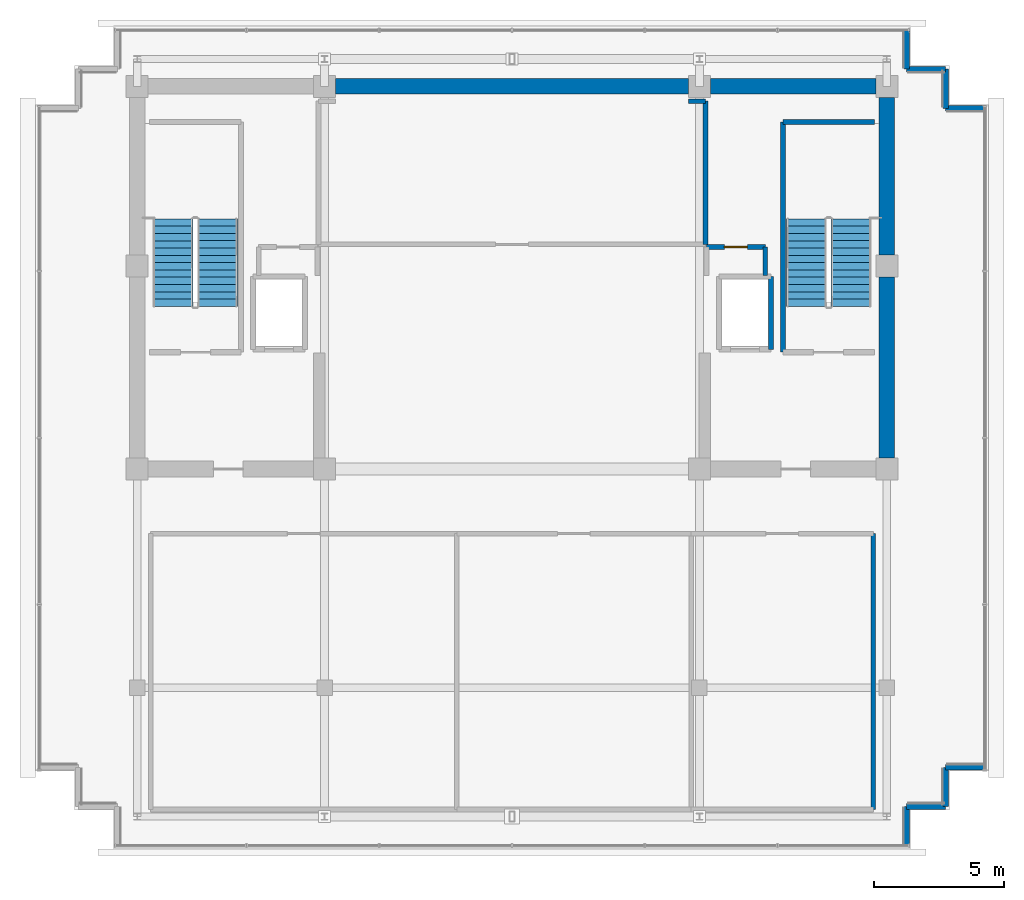
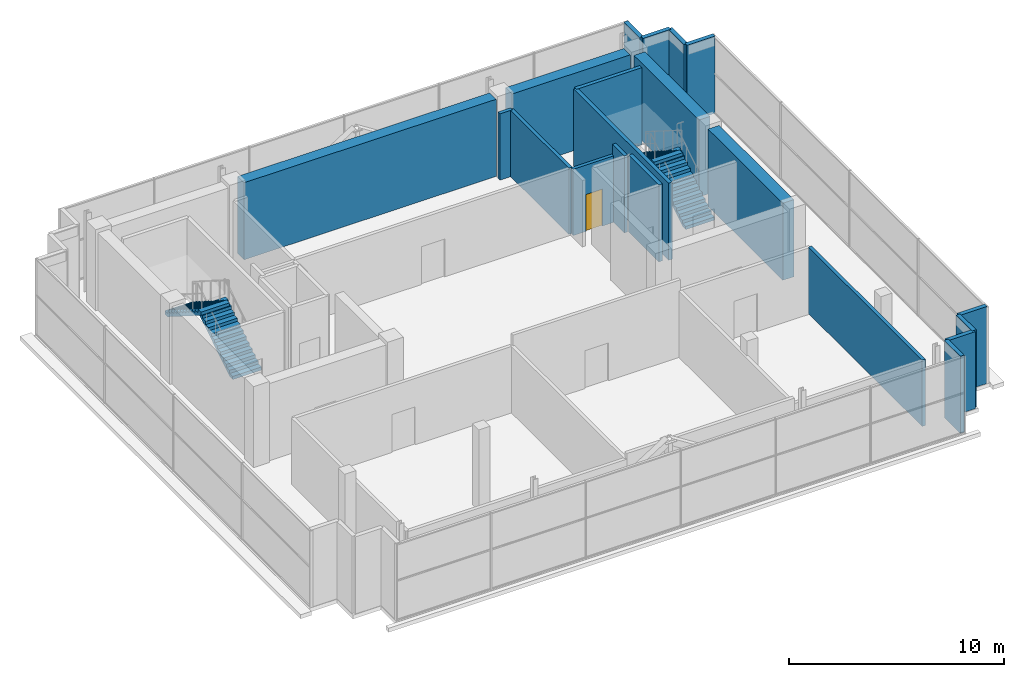
# One storey, part 26 of 28: 20 walls, 4 stair flights, 1 door, 1 opening, 2 elements without a shape of their own.
"""IFC4 building model written with IfcOpenShell, lengths in metres."""

from ifc_helpers import new_model, si_unit, direction, frame, frame_2d, origin, place, context, subcontext, project, spatial, polyline, rectangle, outline, extrude, source, transform, mapped, material, layer, layer_set, type_object, element, fill, aggregate, save


model = new_model("IFC4")

# Units and contexts
model_context = context("Model", 3, precision=1e-05, world=origin(), true_north=direction((0.0, 1.0)))
body_context = subcontext(model_context, "Body", "Model", "MODEL_VIEW")
ifc_project = project(units=[si_unit("LENGTHUNIT", "METRE"), si_unit("AREAUNIT", "SQUARE_METRE"), si_unit("VOLUMEUNIT", "CUBIC_METRE"), si_unit("PLANEANGLEUNIT", "RADIAN"), si_unit("MASSUNIT", "GRAM", prefix="KILO")], contexts=[model_context])

# Site, building, storey
site_placement = place(None, origin())
site = spatial("IfcSite", under=ifc_project, at=site_placement, CompositionType="ELEMENT")
building_placement = place(site_placement, origin())
building = spatial("IfcBuilding", under=site, at=building_placement, Name="Zarnakvel Exchange Tower", CompositionType="ELEMENT")
storey_placement = place(building_placement, frame((0.0, 0.0, 290.0)))
storey = spatial("IfcBuildingStorey", under=building, at=storey_placement, Name="Crown L81", CompositionType="ELEMENT", Elevation=290.0)

# Walls
ifc_material_1 = material(Name="Concrete C50/60", Category="concrete")
ifc_layer_1 = layer(ifc_material_1, 0.60009765625)
ifc_layer_set_1 = layer_set([ifc_layer_1], Name="Concrete C50/60")
wall_type_1 = type_object("IfcWallType", Name="CW-C5", PredefinedType="SHEAR", material=ifc_layer_set_1)
wall_1_placement = place(storey_placement, frame((-6.77490234375, 13.5, 0.0), z_axis=(0.0, 0.0, 1.0), x_axis=(1.0, 0.0, 0.0)))
element("IfcWall", 1, at=wall_1_placement, inside=storey, type_object=wall_type_1, Name="Crown L81 Rear Core Shear Wall N2 (CW-C5)", PredefinedType="SHEAR", context=body_context, shape_type="SweptSolid", body=[
    extrude(rectangle(XDim=13.5498046875, YDim=0.60009765625, at=frame_2d((6.77490234375, 0.0))), origin(), (0.0, 0.0, 1.0), 4.3798828125),
])
wall_2_placement = place(storey_placement, frame((7.625, 13.5, 0.0), z_axis=(0.0, 0.0, 1.0), x_axis=(1.0, 0.0, 0.0)))
element("IfcWall", 2, at=wall_2_placement, inside=storey, type_object=wall_type_1, Name="Crown L81 Rear Core Shear Wall N3 (CW-C5)", PredefinedType="SHEAR", context=body_context, shape_type="SweptSolid", body=[
    extrude(rectangle(XDim=6.35009765625, YDim=0.60009765625, at=frame_2d((3.175048828125, 0.0))), origin(), (0.0, 0.0, 1.0), 4.3798828125),
])
wall_3_placement = place(storey_placement, frame((14.39990234375, -0.77490234375, 0.0), z_axis=(0.0, 0.0, 1.0), x_axis=(0.0, 1.0, 0.0)))
element("IfcWall", 3, at=wall_3_placement, inside=storey, type_object=wall_type_1, Name="Crown L81 Rear Core Shear Wall E1 (CW-C5)", PredefinedType="SHEAR", context=body_context, shape_type="SweptSolid", body=[
    extrude(rectangle(XDim=6.949951171875, YDim=0.60009765625, at=frame_2d((3.47509765625, 0.0))), origin(), (0.0, 0.0, 1.0), 4.3798828125),
])
wall_4_placement = place(storey_placement, frame((14.39990234375, 7.02490234375, 0.0), z_axis=(0.0, 0.0, 1.0), x_axis=(0.0, 1.0, 0.0)))
element("IfcWall", 4, at=wall_4_placement, inside=storey, type_object=wall_type_1, Name="Crown L81 Rear Core Shear Wall E2 (CW-C5)", PredefinedType="SHEAR", context=body_context, shape_type="SweptSolid", body=[
    extrude(rectangle(XDim=6.050048828125, YDim=0.60009765625, at=frame_2d((3.02490234375, 0.0))), origin(), (0.0, 0.0, 1.0), 4.3798828125),
])
ifc_material_2 = material(Name="Precast concrete C40/50", Category="concrete")
ifc_layer_2 = layer(ifc_material_2, 0.219970703125)
ifc_layer_set_2 = layer_set([ifc_layer_2], Name="Precast concrete C40/50")
wall_type_2 = type_object("IfcWallType", Name="EW-03", PredefinedType="SOLIDWALL", material=ifc_layer_set_2)
for number, where, z_axis, x_axis, name in (
    (5, (15.159912109375, 14.159912109375, 0.0), (0.0, 0.0, 1.0), (0.0, 1.0, 0.0), "Crown L81 Exterior Precast Spandrel Wall EW-Crown L81-C07 (EW-03)"),
    (6, (16.659912109375, 14.159912109375, 0.0), (0.0, 0.0, 1.0), (-1.0, 0.0, 0.0), "Crown L81 Exterior Precast Spandrel Wall EW-Crown L81-C08 (EW-03)"),
    (7, (16.659912109375, 12.659912109375, 0.0), (0.0, 0.0, 1.0), (0.0, 1.0, 0.0), "Crown L81 Exterior Precast Spandrel Wall EW-Crown L81-C09 (EW-03)"),
    (8, (18.159912109375, 12.659912109375, 0.0), (0.0, 0.0, 1.0), (-1.0, 0.0, 0.0), "Crown L81 Exterior Precast Spandrel Wall EW-Crown L81-C10 (EW-03)"),
    (9, (16.659912109375, -12.659912109375, 0.0), (0.0, 0.0, 1.0), (1.0, 0.0, 0.0), "Crown L81 Exterior Precast Spandrel Wall EW-Crown L81-C12 (EW-03)"),
    (10, (16.659912109375, -14.159912109375, 0.0), (0.0, 0.0, 1.0), (0.0, 1.0, 0.0), "Crown L81 Exterior Precast Spandrel Wall EW-Crown L81-C13 (EW-03)"),
    (11, (15.159912109375, -14.159912109375, 0.0), (0.0, 0.0, 1.0), (1.0, 0.0, 0.0), "Crown L81 Exterior Precast Spandrel Wall EW-Crown L81-C14 (EW-03)"),
    (12, (15.159912109375, -15.659912109375, 0.0), (0.0, 0.0, 1.0), (0.0, 1.0, 0.0), "Crown L81 Exterior Precast Spandrel Wall EW-Crown L81-C15 (EW-03)"),
):
    element("IfcWall", number, at=place(storey_placement, frame(where, z_axis=z_axis, x_axis=x_axis)), inside=storey, type_object=wall_type_2, Name=name, PredefinedType="SOLIDWALL", context=body_context, shape_type="SweptSolid", body=[
        extrude(rectangle(XDim=1.5, YDim=0.219970703125, at=frame_2d((0.75, 0.0))), origin(), (0.0, 0.0, 1.0), 4.3798828125),
    ])
ifc_material_3 = material(Name="Fire-Rated Gypsum Stud Partition", Category="gypsum")
ifc_layer_3 = layer(ifc_material_3, 0.179931640625)
ifc_layer_set_3 = layer_set([ifc_layer_3], Name="Fire-Rated Gypsum Stud Partition")
wall_type_3 = type_object("IfcWallType", Name="PT-02", PredefinedType="PARTITIONING", material=ifc_layer_set_3)
wall_5_placement = place(storey_placement, frame((6.77490234375, 12.929931640625, 0.0), z_axis=(0.0, 0.0, 1.0), x_axis=(1.0, 0.0, 0.0)))
element("IfcWall", 13, at=wall_5_placement, inside=storey, type_object=wall_type_3, Name="Crown L81 Partition Wall PWALL-Crown L81-009 (PT-02)", PredefinedType="PARTITIONING", context=body_context, shape_type="SweptSolid", body=[
    extrude(rectangle(XDim=0.655029296875, YDim=0.179931640625, at=frame_2d((0.32763671875, 0.0))), origin(), (0.0, 0.0, 1.0), 3.77001953125),
])
wall_6_placement = place(storey_placement, frame((7.429931640625, 12.929931640625, 0.0), z_axis=(0.0, 0.0, 1.0), x_axis=(0.0, -1.0, 0.0)))
element("IfcWall", 14, at=wall_6_placement, inside=storey, type_object=wall_type_3, Name="Crown L81 Partition Wall PWALL-Crown L81-011 (PT-02)", PredefinedType="PARTITIONING", context=body_context, shape_type="SweptSolid", body=[
    extrude(rectangle(XDim=5.5, YDim=0.179931640625, at=frame_2d((2.75, 0.0))), origin(), (0.0, 0.0, 1.0), 3.77001953125),
])

# Wall, opening, door
wall_7_placement = place(storey_placement, frame((7.469970703125, 7.330078125, 0.0), z_axis=(0.0, 0.0, 1.0), x_axis=(1.0, 0.0, 0.0)))
wall_7 = element("IfcWall", 15, at=wall_7_placement, inside=storey, type_object=wall_type_3, Name="Crown L81 Partition Wall PWALL-Crown L81-015 (PT-02)", PredefinedType="PARTITIONING", context=body_context, shape_type="SweptSolid", body=[
    extrude(rectangle(XDim=2.260009765625, YDim=0.179931640625, at=frame_2d((1.1298828125, 0.0))), origin(), (0.0, 0.0, 1.0), 3.77001953125),
])
opening_placement = place(wall_7_placement, frame((0.68994140625, 0.0, 0.0)))
opening = element("IfcOpeningElement", 16, at=opening_placement, cuts=wall_7, Name="Opening D-Crown L81-10", PredefinedType="OPENING", context=body_context, shape_type="SweptSolid", body=[
    extrude(rectangle(XDim=0.8798828125, YDim=2.10009765625, at=frame_2d((0.43994140625, 1.050048828125))), frame((0.0, 0.099853515625, 0.0), z_axis=(0.0, -1.0, 0.0), x_axis=(1.0, 0.0, 0.0)), (0.0, 0.0, 1.0), 0.199951171875),
])
ifc_material_4 = material(Name="Painted Galvanised Steel S355", Category="steel")
door_type = type_object("IfcDoorType", Name="DT-08", OperationType="NOTDEFINED", PredefinedType="DOOR", material=ifc_material_4)
shared_shape = source(origin(), body_context, "Body", "SweptSolid", [
    extrude(rectangle(XDim=0.8798828125, YDim=2.10009765625, at=frame_2d((0.43994140625, 1.050048828125))), frame((0.0, 0.02490234375, 0.0), z_axis=(0.0, -1.0, 0.0), x_axis=(1.0, 0.0, 0.0)), (0.0, 0.0, 1.0), 0.050048828125),
])
door_placement = place(opening_placement, origin())
door = element("IfcDoor", 17, at=door_placement, inside=storey, type_object=door_type, Name="Crown L81 Telecom Riser Door D-Crown L81-10", OperationType="SINGLE_SWING_RIGHT", OverallHeight=2.10009765625, OverallWidth=0.8798828125, PredefinedType="DOOR", context=body_context, shape_type="MappedRepresentation", body=[
    mapped(shared_shape, transform((0.0, 0.0, 0.0), x_axis=(1.0, 0.0, 0.0), y_axis=(0.0, 1.0, 0.0), z_axis=(0.0, 0.0, 1.0), scale=1.0)),
])
fill(opening, door)

# Walls
wall_8_placement = place(storey_placement, frame((9.72998046875, 7.330078125, 0.0), z_axis=(0.0, 0.0, 1.0), x_axis=(0.0, -1.0, 0.0)))
element("IfcWall", 18, at=wall_8_placement, inside=storey, type_object=wall_type_3, Name="Crown L81 Partition Wall PWALL-Crown L81-017 (PT-02)", PredefinedType="PARTITIONING", context=body_context, shape_type="SweptSolid", body=[
    extrude(rectangle(XDim=1.090087890625, YDim=0.179931640625, at=frame_2d((0.544921875, 0.0))), origin(), (0.0, 0.0, 1.0), 4.3798828125),
])
wall_9_placement = place(storey_placement, frame((13.8798828125, -3.679931640625, 0.0), z_axis=(0.0, 0.0, 1.0), x_axis=(0.0, -1.0, 0.0)))
element("IfcWall", 19, at=wall_9_placement, inside=storey, type_object=wall_type_3, Name="Crown L81 Partition Wall PWALL-Crown L81-027 (PT-02)", PredefinedType="PARTITIONING", context=body_context, shape_type="SweptSolid", body=[
    extrude(rectangle(XDim=10.60009765625, YDim=0.179931640625, at=frame_2d((5.300048828125, 0.0))), origin(), (0.0, 0.0, 1.0), 3.77001953125),
])
ifc_material_5 = material(Name="Concrete C40/50", Category="concrete")
ifc_layer_4 = layer(ifc_material_5, 0.199951171875)
ifc_layer_set_4 = layer_set([ifc_layer_4], Name="Concrete C40/50")
wall_type_4 = type_object("IfcWallType", Name="SW-01", PredefinedType="SOLIDWALL", material=ifc_layer_set_4)
wall_10_placement = place(storey_placement, frame((9.949951171875, 6.199951171875, 0.0), z_axis=(0.0, 0.0, 1.0), x_axis=(0.0, -1.0, 0.0)))
element("IfcWall", 20, at=wall_10_placement, inside=storey, type_object=wall_type_4, Name="Crown L81 FL-02 Hoistway Wall East", PredefinedType="SOLIDWALL", context=body_context, shape_type="SweptSolid", body=[
    extrude(rectangle(XDim=2.800048828125, YDim=0.199951171875, at=frame_2d((1.39990234375, 0.0))), origin(), (0.0, 0.0, 1.0), 4.3798828125),
])
ifc_layer_5 = layer(ifc_material_5, 0.199951171875)
ifc_layer_set_5 = layer_set([ifc_layer_5], Name="Concrete C40/50")
wall_type_5 = type_object("IfcWallType", Name="SW-02", PredefinedType="SOLIDWALL", material=ifc_layer_set_5)
wall_11_placement = place(storey_placement, frame((10.409912109375, 12.1298828125, 0.0), z_axis=(0.0, 0.0, 1.0), x_axis=(1.0, 0.0, 0.0)))
element("IfcWall", 21, at=wall_11_placement, inside=storey, type_object=wall_type_5, Name="Crown L81 Stairwell Core Wall PWALL-Crown L81-005 (SW-02)", PredefinedType="SOLIDWALL", context=body_context, shape_type="SweptSolid", body=[
    extrude(rectangle(XDim=3.52001953125, YDim=0.199951171875, at=frame_2d((1.760009765625, 0.0))), origin(), (0.0, 0.0, 1.0), 4.3798828125),
])
wall_12_placement = place(storey_placement, frame((10.409912109375, 3.2900390625, 0.0), z_axis=(0.0, 0.0, 1.0), x_axis=(0.0, 1.0, 0.0)))
element("IfcWall", 22, at=wall_12_placement, inside=storey, type_object=wall_type_5, Name="Crown L81 Stairwell Core Wall PWALL-Crown L81-006 (SW-02)", PredefinedType="SOLIDWALL", context=body_context, shape_type="SweptSolid", body=[
    extrude(rectangle(XDim=8.83984375, YDim=0.199951171875, at=frame_2d((4.419921875, 0.0))), origin(), (0.0, 0.0, 1.0), 4.3798828125),
])

# Stair, stair flights
stair_type = type_object("IfcStairType", Name="STR-01", PredefinedType="HALF_TURN_STAIR", material=ifc_material_5)
stair_1_placement = place(storey_placement, origin())
stair_1 = element("IfcStair", 23, at=stair_1_placement, inside=storey, type_object=stair_type, Name="Crown L81 Protected Core Exit Stair ST-01", PredefinedType="HALF_TURN_STAIR")
stair_flight_type = type_object("IfcStairFlightType", Name="FLT-01", PredefinedType="STRAIGHT", material=ifc_material_5)
stair_flight_1_placement = place(storey_placement, frame((-11.31494140625, 5.050048828125, 0.0), z_axis=(0.0, 0.0, 1.0), x_axis=(0.0, 1.0, 0.0)))
stair_flight_1 = element("IfcStairFlight", 24, at=stair_flight_1_placement, type_object=stair_flight_type, Name="ST-01 flight 1", NumberOfRisers=13, NumberOfTreads=12, PredefinedType="STRAIGHT", RiserHeight=0.176923077, TreadLength=0.28, context=body_context, shape_type="SweptSolid", body=[
    extrude(outline(polyline([(0.0, 0.0), (0.0, 0.177001953125), (0.280029296875, 0.177001953125), (0.280029296875, 0.353759765625), (0.56005859375, 0.353759765625), (0.56005859375, 0.53076171875), (0.840087890625, 0.53076171875), (0.840087890625, 0.707763671875), (1.1201171875, 0.707763671875), (1.1201171875, 0.884521484375), (1.39990234375, 0.884521484375), (1.39990234375, 1.0615234375), (1.679931640625, 1.0615234375), (1.679931640625, 1.238525390625), (1.9599609375, 1.238525390625), (1.9599609375, 1.415283203125), (2.239990234375, 1.415283203125), (2.239990234375, 1.59228515625), (2.52001953125, 1.59228515625), (2.52001953125, 1.769287109375), (2.800048828125, 1.769287109375), (2.800048828125, 1.946044921875), (3.080078125, 1.946044921875), (3.080078125, 2.123046875), (3.360107421875, 2.123046875), (3.360107421875, 2.300048828125), (3.360107421875, 1.94580078125), (0.280517578125, 0.0), (0.0, 0.0)])), frame((0.0, 0.77490234375, 0.0), z_axis=(0.0, -1.0, 0.0), x_axis=(1.0, 0.0, 0.0)), (0.0, 0.0, 1.0), 1.550048828125),
])
stair_flight_2_placement = place(storey_placement, frame((-13.02490234375, 8.409912109375, 2.300048828125), z_axis=(0.0, 0.0, 1.0), x_axis=(0.0, -1.0, 0.0)))
stair_flight_2 = element("IfcStairFlight", 25, at=stair_flight_2_placement, type_object=stair_flight_type, Name="ST-01 flight 2", NumberOfRisers=13, NumberOfTreads=12, PredefinedType="STRAIGHT", RiserHeight=0.176923077, TreadLength=0.28, context=body_context, shape_type="SweptSolid", body=[
    extrude(outline(polyline([(0.0, 0.0), (0.0, 0.177001953125), (0.280029296875, 0.177001953125), (0.280029296875, 0.353759765625), (0.56005859375, 0.353759765625), (0.56005859375, 0.53076171875), (0.840087890625, 0.53076171875), (0.840087890625, 0.707763671875), (1.1201171875, 0.707763671875), (1.1201171875, 0.884521484375), (1.39990234375, 0.884521484375), (1.39990234375, 1.0615234375), (1.679931640625, 1.0615234375), (1.679931640625, 1.238525390625), (1.9599609375, 1.238525390625), (1.9599609375, 1.415283203125), (2.239990234375, 1.415283203125), (2.239990234375, 1.59228515625), (2.52001953125, 1.59228515625), (2.52001953125, 1.769287109375), (2.800048828125, 1.769287109375), (2.800048828125, 1.946044921875), (3.080078125, 1.946044921875), (3.080078125, 2.123046875), (3.360107421875, 2.123046875), (3.360107421875, 2.300048828125), (3.360107421875, 1.94580078125), (0.280517578125, 0.0), (0.0, 0.0)])), frame((0.0, 0.77490234375, 0.0), z_axis=(0.0, -1.0, 0.0), x_axis=(1.0, 0.0, 0.0)), (0.0, 0.0, 1.0), 1.550048828125),
])
aggregate(stair_1, [stair_flight_1, stair_flight_2])

stair_2_placement = place(storey_placement, origin())
stair_2 = element("IfcStair", 26, at=stair_2_placement, inside=storey, type_object=stair_type, Name="Crown L81 Protected Core Exit Stair ST-02", PredefinedType="HALF_TURN_STAIR")
stair_flight_3_placement = place(storey_placement, frame((13.02490234375, 5.050048828125, 0.0), z_axis=(0.0, 0.0, 1.0), x_axis=(0.0, 1.0, 0.0)))
stair_flight_3 = element("IfcStairFlight", 27, at=stair_flight_3_placement, type_object=stair_flight_type, Name="ST-02 flight 1", NumberOfRisers=13, NumberOfTreads=12, PredefinedType="STRAIGHT", RiserHeight=0.176923077, TreadLength=0.28, context=body_context, shape_type="SweptSolid", body=[
    extrude(outline(polyline([(0.0, 0.0), (0.0, 0.177001953125), (0.280029296875, 0.177001953125), (0.280029296875, 0.353759765625), (0.56005859375, 0.353759765625), (0.56005859375, 0.53076171875), (0.840087890625, 0.53076171875), (0.840087890625, 0.707763671875), (1.1201171875, 0.707763671875), (1.1201171875, 0.884521484375), (1.39990234375, 0.884521484375), (1.39990234375, 1.0615234375), (1.679931640625, 1.0615234375), (1.679931640625, 1.238525390625), (1.9599609375, 1.238525390625), (1.9599609375, 1.415283203125), (2.239990234375, 1.415283203125), (2.239990234375, 1.59228515625), (2.52001953125, 1.59228515625), (2.52001953125, 1.769287109375), (2.800048828125, 1.769287109375), (2.800048828125, 1.946044921875), (3.080078125, 1.946044921875), (3.080078125, 2.123046875), (3.360107421875, 2.123046875), (3.360107421875, 2.300048828125), (3.360107421875, 1.94580078125), (0.280517578125, 0.0), (0.0, 0.0)])), frame((0.0, 0.77490234375, 0.0), z_axis=(0.0, -1.0, 0.0), x_axis=(1.0, 0.0, 0.0)), (0.0, 0.0, 1.0), 1.550048828125),
])
stair_flight_4_placement = place(storey_placement, frame((11.31494140625, 8.409912109375, 2.300048828125), z_axis=(0.0, 0.0, 1.0), x_axis=(0.0, -1.0, 0.0)))
stair_flight_4 = element("IfcStairFlight", 28, at=stair_flight_4_placement, type_object=stair_flight_type, Name="ST-02 flight 2", NumberOfRisers=13, NumberOfTreads=12, PredefinedType="STRAIGHT", RiserHeight=0.176923077, TreadLength=0.28, context=body_context, shape_type="SweptSolid", body=[
    extrude(outline(polyline([(0.0, 0.0), (0.0, 0.177001953125), (0.280029296875, 0.177001953125), (0.280029296875, 0.353759765625), (0.56005859375, 0.353759765625), (0.56005859375, 0.53076171875), (0.840087890625, 0.53076171875), (0.840087890625, 0.707763671875), (1.1201171875, 0.707763671875), (1.1201171875, 0.884521484375), (1.39990234375, 0.884521484375), (1.39990234375, 1.0615234375), (1.679931640625, 1.0615234375), (1.679931640625, 1.238525390625), (1.9599609375, 1.238525390625), (1.9599609375, 1.415283203125), (2.239990234375, 1.415283203125), (2.239990234375, 1.59228515625), (2.52001953125, 1.59228515625), (2.52001953125, 1.769287109375), (2.800048828125, 1.769287109375), (2.800048828125, 1.946044921875), (3.080078125, 1.946044921875), (3.080078125, 2.123046875), (3.360107421875, 2.123046875), (3.360107421875, 2.300048828125), (3.360107421875, 1.94580078125), (0.280517578125, 0.0), (0.0, 0.0)])), frame((0.0, 0.77490234375, 0.0), z_axis=(0.0, -1.0, 0.0), x_axis=(1.0, 0.0, 0.0)), (0.0, 0.0, 1.0), 1.550048828125),
])
aggregate(stair_2, [stair_flight_3, stair_flight_4])

save(model, "model.ifc")
